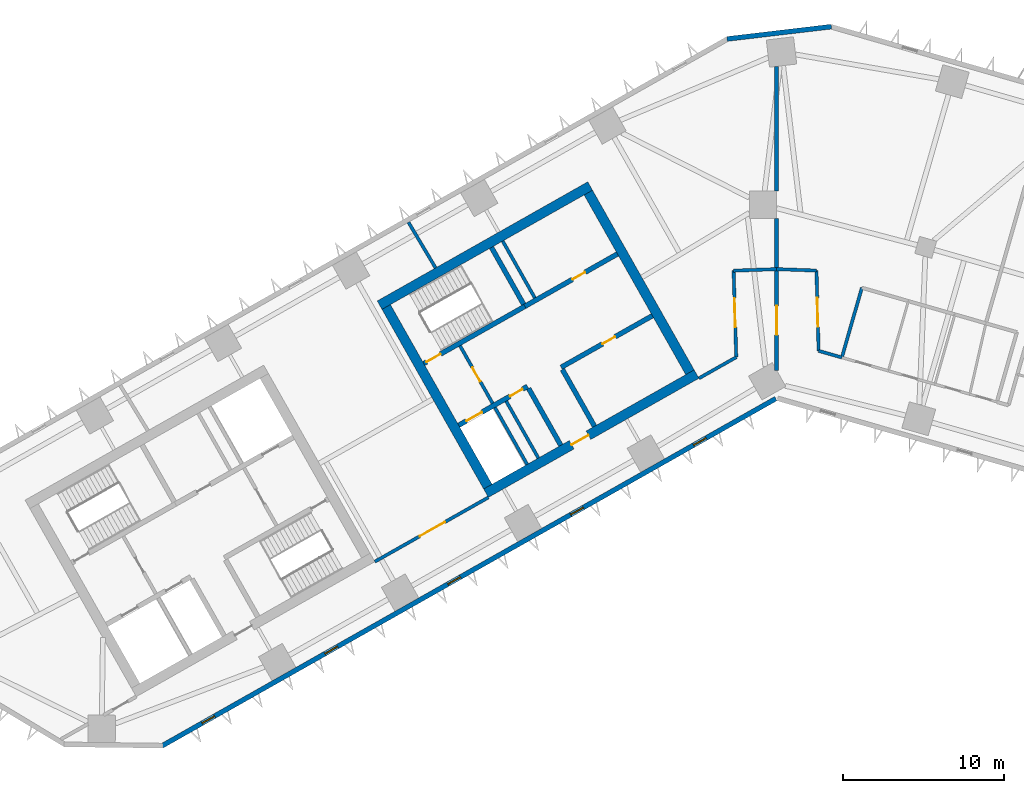
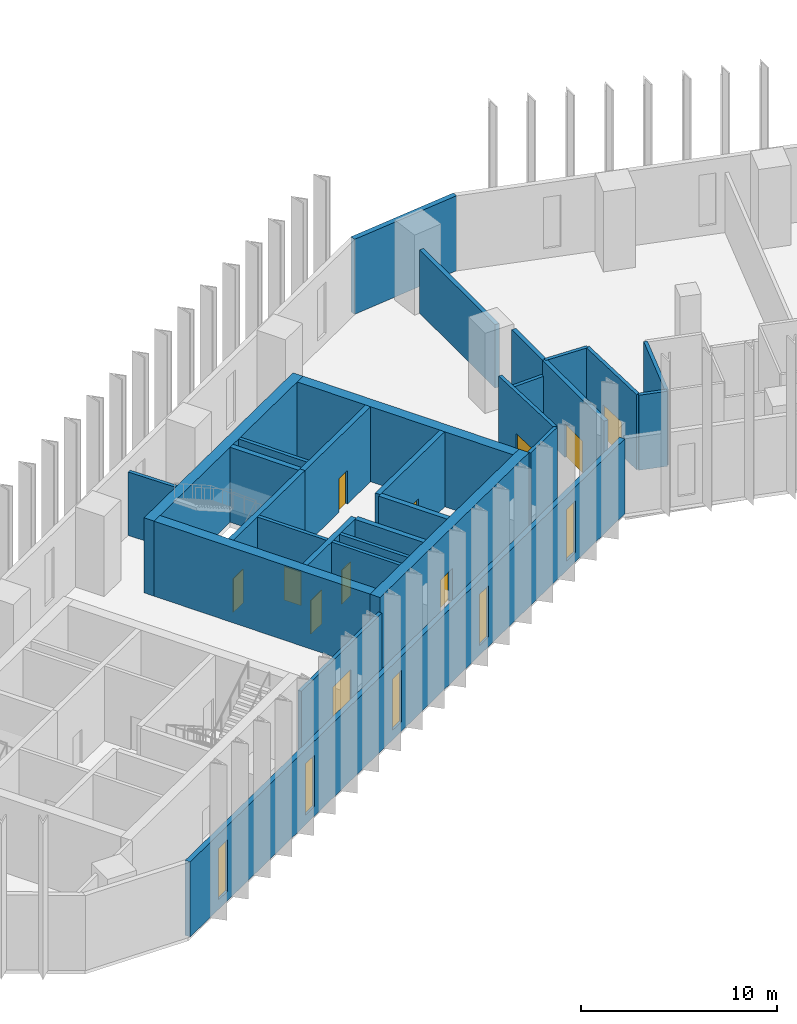
# One storey, part 4 of 11: 29 walls, 11 doors, 5 windows, 16 openings.
"""IFC4 building model written with IfcOpenShell, lengths in metres."""

import ifcopenshell
import ifcopenshell.guid

model = None  # the IFC model being written
_history = None  # IfcOwnerHistory: only IFC2X3 demands one
_inside = {}  # id of a spatial element -> (the spatial element, [elements in it])
_under = {}  # id of a project, library or spatial element -> (it, [spatial elements below it])
_declared = {}  # id of a project -> (the project, [libraries it declares])
_typed = {}  # id of a type object -> (the type object, [elements of that type])
_made_of = {}  # id of a material, layer set ... -> (it, [elements and type objects made of it])


def new_model(schema):
    """Start an empty IFC model of exactly this schema.

    Asked for "IFC4X3", IfcOpenShell would pick the latest addendum, in which some entities
    have other attributes; the version numbers below select the first issue.
    IFC2X3 requires an IfcOwnerHistory on every rooted entity: one is made here for all.
    """
    global model, _history
    if schema == "IFC4X3":
        model = ifcopenshell.file(schema_version=(4, 3, 0, 0))
    else:
        model = ifcopenshell.file(schema=schema)
    _inside.clear()
    _under.clear()
    _declared.clear()
    _typed.clear()
    _made_of.clear()
    _history = None
    if model.schema == "IFC2X3":
        org = make("IfcOrganization", Name="unknown")
        user = make(
            "IfcPersonAndOrganization",
            ThePerson=make("IfcPerson", FamilyName="unknown"),
            TheOrganization=org,
        )
        app = make(
            "IfcApplication",
            ApplicationDeveloper=org,
            Version="unknown",
            ApplicationFullName="unknown",
            ApplicationIdentifier="unknown",
        )
        _history = make(
            "IfcOwnerHistory",
            OwningUser=user,
            OwningApplication=app,
            ChangeAction="ADDED",
            CreationDate=0,
        )
    return model


def make(cls, **values):
    """One entity of the class cls with the attributes given. An attribute that is None is left unset."""
    return model.create_entity(
        cls, **{name: value for name, value in values.items() if value is not None}
    )


def rooted(cls, **values):
    """An entity with a GlobalId (a new one), such as an element, a storey or a relation."""
    return make(cls, GlobalId=ifcopenshell.guid.new(), OwnerHistory=_history, **values)


def si_unit(unit_type, name, prefix=None):
    """IfcSIUnit, for example si_unit("LENGTHUNIT", "METRE", prefix="MILLI")."""
    return make("IfcSIUnit", UnitType=unit_type, Prefix=prefix, Name=name)


def assignment(units):
    """IfcUnitAssignment: the units of a project."""
    return None if units is None else make("IfcUnitAssignment", Units=units)


def point(xyz):
    """IfcCartesianPoint."""
    return None if xyz is None else make("IfcCartesianPoint", Coordinates=xyz)


def direction(xyz):
    """IfcDirection."""
    return None if xyz is None else make("IfcDirection", DirectionRatios=xyz)


def frame(location, z_axis=None, x_axis=None):
    """IfcAxis2Placement3D, a coordinate frame: its origin and axes. An axis left out is left unset."""
    return make(
        "IfcAxis2Placement3D",
        Location=point(location),
        Axis=direction(z_axis),
        RefDirection=direction(x_axis),
    )


def frame_2d(location, x_axis=None):
    """IfcAxis2Placement2D, a coordinate frame in the plane: its origin and x axis."""
    return make(
        "IfcAxis2Placement2D", Location=point(location), RefDirection=direction(x_axis)
    )


def origin():
    """The frame at (0, 0, 0) with its axes left unset."""
    return frame((0.0, 0.0, 0.0))


def place(relative_to, where):
    """IfcLocalPlacement: puts the frame where relative to a parent placement (None: the world)."""
    return make(
        "IfcLocalPlacement", PlacementRelTo=relative_to, RelativePlacement=where
    )


def context(
    kind, dimensions, precision=None, world=None, true_north=None, identifier=None
):
    """IfcGeometricRepresentationContext, for example the 3D "Model" context."""
    return make(
        "IfcGeometricRepresentationContext",
        ContextIdentifier=identifier,
        ContextType=kind,
        CoordinateSpaceDimension=dimensions,
        Precision=precision,
        WorldCoordinateSystem=world,
        TrueNorth=true_north,
    )


def subcontext(parent, identifier, kind, view, scale=None):
    """IfcGeometricRepresentationSubContext, for example "Body" below "Model"."""
    return make(
        "IfcGeometricRepresentationSubContext",
        ContextIdentifier=identifier,
        ContextType=kind,
        ParentContext=parent,
        TargetScale=scale,
        TargetView=view,
    )


def project(units=None, contexts=None):
    """IfcProject with its units and contexts."""
    return rooted(
        "IfcProject",
        Name="project",
        RepresentationContexts=contexts,
        UnitsInContext=assignment(units),
    )


def spatial(cls, under=None, at=None, **own):
    """A site, building, storey or space (cls), placed at a placement, below another one or the project."""
    s = rooted(cls, ObjectPlacement=at, **own)
    if under is not None:
        _under.setdefault(under.id(), (under, []))[1].append(s)
    return s


def profile(cls, at=None, kind="AREA", **sizes):
    """A parametric profile (cls). Its sizes go by their IFC names, for example OverallWidth=200.0."""
    return make(cls, ProfileType=kind, Position=at, **sizes)


def rectangle(**sizes):
    """IfcRectangleProfileDef."""
    return profile("IfcRectangleProfileDef", **sizes)


def extrude(swept, where, along, depth):
    """IfcExtrudedAreaSolid: the profile swept, set in the frame where, extruded along a direction by depth."""
    return make(
        "IfcExtrudedAreaSolid",
        SweptArea=swept,
        Position=where,
        ExtrudedDirection=direction(along),
        Depth=depth,
    )


def shape(context_of_items, identifier, shape_type, items):
    """IfcShapeRepresentation: the items that make up one representation, for example the "Body"."""
    return make(
        "IfcShapeRepresentation",
        ContextOfItems=context_of_items,
        RepresentationIdentifier=identifier,
        RepresentationType=shape_type,
        Items=items,
    )


def material(Name=None, Category=None):
    """IfcMaterial."""
    return make("IfcMaterial", Name=Name, Category=Category)


def layer(
    of_material, thickness, ventilated=None, Name=None, Category=None, Priority=None
):
    """IfcMaterialLayer: one layer of a wall or slab, of a material (None: an air gap)."""
    return make(
        "IfcMaterialLayer",
        Material=of_material,
        LayerThickness=thickness,
        IsVentilated=ventilated,
        Name=Name,
        Category=Category,
        Priority=Priority,
    )


def layer_set(layers, Name=None):
    """IfcMaterialLayerSet."""
    return make("IfcMaterialLayerSet", MaterialLayers=layers, LayerSetName=Name)


def made_of(thing, what):
    """Note that an element or type object is made of a material, layer set ...; save() writes the relation."""
    if what is not None:
        _made_of.setdefault(what.id(), (what, []))[1].append(thing)
    return thing


def type_object(cls, material=None, **own):
    """A type object (cls), such as IfcWallType, which elements share."""
    return made_of(rooted(cls, **own), material)


def element(
    cls,
    number,
    at=None,
    inside=None,
    cuts=None,
    type_object=None,
    material=None,
    context=None,
    identifier="Body",
    shape_type=None,
    held_by="IfcProductDefinitionShape",
    body=None,
    shapes=None,
    **own,
):
    """One element of the class cls, such as IfcWall. Its Tag is "e" and its number.

    at: its placement. inside: the storey or other place that contains it. cuts: it is an
    opening in that element (IfcRelVoidsElement). A single representation is given by context,
    identifier, shape_type and body (its items); several are given by shapes. held_by: the class
    of the entity that holds the representations. save() writes the other relations.
    """
    e = rooted(cls, Tag="e%d" % number, ObjectPlacement=at, **own)
    if body is not None:
        shapes = [shape(context, identifier, shape_type, body)]
    if shapes is not None:
        e.Representation = make(held_by, Representations=shapes)
    if inside is not None:
        _inside.setdefault(inside.id(), (inside, []))[1].append(e)
    if cuts is not None:
        rooted(
            "IfcRelVoidsElement", RelatingBuildingElement=cuts, RelatedOpeningElement=e
        )
    if type_object is not None:
        _typed.setdefault(type_object.id(), (type_object, []))[1].append(e)
    return made_of(e, material)


def fill(opening, filler):
    """IfcRelFillsElement: the door or window that sits in an opening."""
    return rooted(
        "IfcRelFillsElement",
        RelatingOpeningElement=opening,
        RelatedBuildingElement=filler,
    )


def aggregate(whole, parts):
    """IfcRelAggregates: a whole, such as a stair, and the parts it consists of."""
    return rooted("IfcRelAggregates", RelatingObject=whole, RelatedObjects=parts)


def save(model, path):
    """Write the relations noted so far, then the file.

    IfcRelAggregates (storeys below a building ...), IfcRelContainedInSpatialStructure (elements
    in a storey), IfcRelDefinesByType, IfcRelAssociatesMaterial and IfcRelDeclares: one each for
    every whole, place, type object, material and project.
    """
    for whole, parts in _under.values():
        aggregate(whole, parts)
    for where, things in _inside.values():
        rooted(
            "IfcRelContainedInSpatialStructure",
            RelatedElements=things,
            RelatingStructure=where,
        )
    for kind, things in _typed.values():
        rooted("IfcRelDefinesByType", RelatedObjects=things, RelatingType=kind)
    for what, things in _made_of.values():
        rooted("IfcRelAssociatesMaterial", RelatedObjects=things, RelatingMaterial=what)
    for by, libraries in _declared.values():
        rooted("IfcRelDeclares", RelatingContext=by, RelatedDefinitions=libraries)
    model.write(path)


model = new_model("IFC4")

# Units and contexts
model_context = context("Model", 3, precision=1e-05, world=origin(), true_north=direction((0.0, 1.0)))
body_context = subcontext(model_context, "Body", "Model", "MODEL_VIEW")
ifc_project = project(units=[si_unit("LENGTHUNIT", "METRE"), si_unit("AREAUNIT", "SQUARE_METRE"), si_unit("VOLUMEUNIT", "CUBIC_METRE"), si_unit("PLANEANGLEUNIT", "RADIAN"), si_unit("MASSUNIT", "GRAM", prefix="KILO")], contexts=[model_context])

# Site, building, storey
site_placement = place(None, origin())
site = spatial("IfcSite", under=ifc_project, at=site_placement, CompositionType="ELEMENT")
building_placement = place(site_placement, origin())
building = spatial("IfcBuilding", under=site, at=building_placement, Name="Binnacle Exchange Tower", CompositionType="ELEMENT")
storey_placement = place(building_placement, frame((0.0, 0.0, 36.5)))
storey = spatial("IfcBuildingStorey", under=building, at=storey_placement, Name="L07", CompositionType="ELEMENT", Elevation=36.5)

# Wall, openings, doors
ifc_material_1 = material(Name="Concrete C70/85", Category="concrete")
ifc_layer_1 = layer(ifc_material_1, 0.300048828125)
ifc_layer_set_1 = layer_set([ifc_layer_1], Name="Core wall - front 300")
wall_type_1 = type_object("IfcWallType", Name="Core wall - front 300", PredefinedType="SOLIDWALL", material=ifc_layer_set_1)
wall_1_placement = place(storey_placement, frame((-19.718017578125, 46.31640625, 0.0), z_axis=(0.0, 0.0, 1.0), x_axis=(0.870353963862, 0.492426621528, 0.0)))
wall_1 = element("IfcWall", 1, at=wall_1_placement, inside=storey, type_object=wall_type_1, Name="Core wall CRWC2", PredefinedType="SOLIDWALL", context=body_context, shape_type="SweptSolid", body=[
    extrude(rectangle(XDim=4.89990234375, YDim=0.300048828125, at=frame_2d((2.449951171875, 0.0))), origin(), (0.0, 0.0, 1.0), 4.679931640625),
])
opening_1_placement = place(wall_1_placement, frame((0.550048828125, 0.0, 0.0)))
opening_1 = element("IfcOpeningElement", 2, at=opening_1_placement, cuts=wall_1, Name="Opening LD14", PredefinedType="OPENING", context=body_context, shape_type="SweptSolid", body=[
    extrude(rectangle(XDim=1.10009765625, YDim=2.10009765625, at=frame_2d((0.550048828125, 1.050048828125))), frame((0.0, 0.159912109375, 0.0), z_axis=(0.0, -1.0, 0.0), x_axis=(1.0, 0.0, 0.0)), (0.0, 0.0, 1.0), 0.320068359375),
])
opening_2_placement = place(wall_1_placement, frame((3.64990234375, 0.0, 0.0)))
opening_2 = element("IfcOpeningElement", 3, at=opening_2_placement, cuts=wall_1, Name="Opening DC14", PredefinedType="OPENING", context=body_context, shape_type="SweptSolid", body=[
    extrude(rectangle(XDim=0.89990234375, YDim=2.10009765625, at=frame_2d((0.449951171875, 1.050048828125))), frame((0.0, 0.159912109375, 0.0), z_axis=(0.0, -1.0, 0.0), x_axis=(1.0, 0.0, 0.0)), (0.0, 0.0, 1.0), 0.320068359375),
])
ifc_material_2 = material(Name="Steel door leaf", Category="steel")
door_type_1 = type_object("IfcDoorType", Name="Fire door - lift landing 1100", OperationType="NOTDEFINED", PredefinedType="DOOR", material=ifc_material_2)
door_1_placement = place(opening_1_placement, origin())
door_1 = element("IfcDoor", 4, at=door_1_placement, inside=storey, type_object=door_type_1, Name="Landing door LD14 L07", OperationType="DOUBLE_DOOR_SLIDING", OverallHeight=2.10009765625, OverallWidth=1.10009765625, PredefinedType="DOOR", context=body_context, shape_type="SweptSolid", body=[
    extrude(rectangle(XDim=1.10009765625, YDim=2.10009765625, at=frame_2d((0.550048828125, 1.050048828125))), frame((0.0, 0.02490234375, 0.0), z_axis=(0.0, -1.0, 0.0), x_axis=(1.0, 0.0, 0.0)), (0.0, 0.0, 1.0), 0.050048828125),
])
fill(opening_1, door_1)
door_type_2 = type_object("IfcDoorType", Name="Fire door 900", OperationType="NOTDEFINED", PredefinedType="DOOR", material=ifc_material_2)
door_2_placement = place(opening_2_placement, frame((0.89990234375, 0.0, 0.0), z_axis=(0.0, 0.0, 1.0), x_axis=(-1.0, 0.0, 0.0)))
door_2 = element("IfcDoor", 5, at=door_2_placement, inside=storey, type_object=door_type_2, Name="Core room door FIBRE ENTRY ROOM", OperationType="SINGLE_SWING_LEFT", OverallHeight=2.10009765625, OverallWidth=0.89990234375, PredefinedType="DOOR", context=body_context, shape_type="SweptSolid", body=[
    extrude(rectangle(XDim=0.89990234375, YDim=2.10009765625, at=frame_2d((0.449951171875, 1.050048828125))), frame((0.0, 0.02490234375, 0.0), z_axis=(0.0, -1.0, 0.0), x_axis=(1.0, 0.0, 0.0)), (0.0, 0.0, 1.0), 0.050048828125),
])
fill(opening_2, door_2)

# Wall, opening, door
wall_2_placement = place(storey_placement, frame((-13.364501953125, 49.910888671875, 0.0), z_axis=(0.0, 0.0, 1.0), x_axis=(0.870340995471, 0.49244954219, 0.0)))
wall_2 = element("IfcWall", 6, at=wall_2_placement, inside=storey, type_object=wall_type_1, Name="Core wall CRWC3", PredefinedType="SOLIDWALL", context=body_context, shape_type="SweptSolid", body=[
    extrude(rectangle(XDim=6.5, YDim=0.300048828125, at=frame_2d((3.25, 0.0))), origin(), (0.0, 0.0, 1.0), 4.679931640625),
])
opening_3_placement = place(wall_2_placement, frame((2.949951171875, 0.0, 0.0)))
opening_3 = element("IfcOpeningElement", 7, at=opening_3_placement, cuts=wall_2, Name="Opening DC18", PredefinedType="OPENING", context=body_context, shape_type="SweptSolid", body=[
    extrude(rectangle(XDim=0.89990234375, YDim=2.10009765625, at=frame_2d((0.449951171875, 1.050048828125))), frame((0.0, 0.159912109375, 0.0), z_axis=(0.0, -1.0, 0.0), x_axis=(1.0, 0.0, 0.0)), (0.0, 0.0, 1.0), 0.320068359375),
])
door_3_placement = place(opening_3_placement, frame((0.89990234375, 0.0, 0.0), z_axis=(0.0, 0.0, 1.0), x_axis=(-1.0, 0.0, 0.0)))
door_3 = element("IfcDoor", 8, at=door_3_placement, inside=storey, type_object=door_type_2, Name="Core room door WORKSHOP STORE", OperationType="SINGLE_SWING_LEFT", OverallHeight=2.10009765625, OverallWidth=0.89990234375, PredefinedType="DOOR", context=body_context, shape_type="SweptSolid", body=[
    extrude(rectangle(XDim=0.89990234375, YDim=2.10009765625, at=frame_2d((0.449951171875, 1.050048828125))), frame((0.0, 0.02490234375, 0.0), z_axis=(0.0, -1.0, 0.0), x_axis=(1.0, 0.0, 0.0)), (0.0, 0.0, 1.0), 0.050048828125),
])
fill(opening_3, door_3)

wall_3_placement = place(storey_placement, frame((-15.6181640625, 53.69140625, 0.0), z_axis=(0.0, 0.0, 1.0), x_axis=(0.870356769198, 0.492421663121, 0.0)))
wall_3 = element("IfcWall", 9, at=wall_3_placement, inside=storey, type_object=wall_type_1, Name="Core wall CRWC5", PredefinedType="SOLIDWALL", context=body_context, shape_type="SweptSolid", body=[
    extrude(rectangle(XDim=6.60009765625, YDim=0.300048828125, at=frame_2d((3.300048828125, 0.0))), origin(), (0.0, 0.0, 1.0), 4.679931640625),
])
opening_4_placement = place(wall_3_placement, frame((3.400146484375, 0.0, 0.0)))
opening_4 = element("IfcOpeningElement", 10, at=opening_4_placement, cuts=wall_3, Name="Opening DC10", PredefinedType="OPENING", context=body_context, shape_type="SweptSolid", body=[
    extrude(rectangle(XDim=0.89990234375, YDim=2.10009765625, at=frame_2d((0.449951171875, 1.050048828125))), frame((0.0, 0.159912109375, 0.0), z_axis=(0.0, -1.0, 0.0), x_axis=(1.0, 0.0, 0.0)), (0.0, 0.0, 1.0), 0.320068359375),
])
door_4_placement = place(opening_4_placement, origin())
door_4 = element("IfcDoor", 11, at=door_4_placement, inside=storey, type_object=door_type_2, Name="Core room door STAFF PANTRY AND STORE", OperationType="SINGLE_SWING_RIGHT", OverallHeight=2.10009765625, OverallWidth=0.89990234375, PredefinedType="DOOR", context=body_context, shape_type="SweptSolid", body=[
    extrude(rectangle(XDim=0.89990234375, YDim=2.10009765625, at=frame_2d((0.449951171875, 1.050048828125))), frame((0.0, 0.02490234375, 0.0), z_axis=(0.0, -1.0, 0.0), x_axis=(1.0, 0.0, 0.0)), (0.0, 0.0, 1.0), 0.050048828125),
])
fill(opening_4, door_4)

# Walls
for number, where, z_axis, x_axis, name in (
    (12, (-15.37939453125, 48.5986328125, 0.0), (0.0, 0.0, 1.0), (0.492394910396, -0.870371904542, 0.0), "Core wall CRWC13"),
    (13, (-13.29052734375, 49.780517578125, 0.0), (0.0, 0.0, 1.0), (0.492394910396, -0.870371904542, 0.0), "Core wall CRWC15"),
):
    element("IfcWall", number, at=place(storey_placement, frame(where, z_axis=z_axis, x_axis=x_axis)), inside=storey, type_object=wall_type_1, Name=name, PredefinedType="SOLIDWALL", context=body_context, shape_type="SweptSolid", body=[
        extrude(rectangle(XDim=4.0498046875, YDim=0.300048828125, at=frame_2d((2.02490234375, 0.0))), origin(), (0.0, 0.0, 1.0), 4.679931640625),
    ])

# Wall, opening, door
ifc_layer_2 = layer(ifc_material_1, 0.60009765625)
ifc_layer_set_2 = layer_set([ifc_layer_2], Name="Core wall - outer 600")
wall_type_2 = type_object("IfcWallType", Name="Core wall - outer 600", PredefinedType="SOLIDWALL", material=ifc_layer_set_2)
wall_4_placement = place(storey_placement, frame((-18.0244140625, 42.104248046875, 0.0), z_axis=(0.0, 0.0, 1.0), x_axis=(0.870360574057, 0.492414937962, 0.0)))
wall_4 = element("IfcWall", 14, at=wall_4_placement, inside=storey, type_object=wall_type_2, Name="Core wall CRWC1", PredefinedType="SOLIDWALL", context=body_context, shape_type="SweptSolid", body=[
    extrude(rectangle(XDim=15.0, YDim=0.60009765625, at=frame_2d((7.5, 0.0))), origin(), (0.0, 0.0, 1.0), 4.679931640625),
])
opening_5_placement = place(wall_4_placement, frame((6.10009765625, 0.0, 0.0)))
opening_5 = element("IfcOpeningElement", 15, at=opening_5_placement, cuts=wall_4, Name="Opening DC7", PredefinedType="OPENING", context=body_context, shape_type="SweptSolid", body=[
    extrude(rectangle(XDim=1.199951171875, YDim=2.10009765625, at=frame_2d((0.60009765625, 1.050048828125))), frame((0.0, 0.31005859375, 0.0), z_axis=(0.0, -1.0, 0.0), x_axis=(1.0, 0.0, 0.0)), (0.0, 0.0, 1.0), 0.6201171875),
])
door_type_3 = type_object("IfcDoorType", Name="Fire door 1200", OperationType="NOTDEFINED", PredefinedType="DOOR", material=ifc_material_2)
door_5_placement = place(opening_5_placement, frame((1.199951171875, 0.0, 0.0), z_axis=(0.0, 0.0, 1.0), x_axis=(-1.0, 0.0, 0.0)))
door_5 = element("IfcDoor", 16, at=door_5_placement, inside=storey, type_object=door_type_3, Name="Lift lobby entrance door core C", OperationType="SINGLE_SWING_RIGHT", OverallHeight=2.10009765625, OverallWidth=1.199951171875, PredefinedType="DOOR", context=body_context, shape_type="SweptSolid", body=[
    extrude(rectangle(XDim=1.199951171875, YDim=2.10009765625, at=frame_2d((0.60009765625, 1.050048828125))), frame((0.0, 0.02490234375, 0.0), z_axis=(0.0, -1.0, 0.0), x_axis=(1.0, 0.0, 0.0)), (0.0, 0.0, 1.0), 0.050048828125),
])
fill(opening_5, door_5)

# Walls
wall_5_placement = place(storey_placement, frame((-24.622802734375, 53.76708984375, 0.0), z_axis=(0.0, 0.0, 1.0), x_axis=(0.870356627484, 0.492421913601, 0.0)))
element("IfcWall", 17, at=wall_5_placement, inside=storey, type_object=wall_type_2, Name="Core wall CRWC6", PredefinedType="SOLIDWALL", context=body_context, shape_type="SweptSolid", body=[
    extrude(rectangle(XDim=14.999755859375, YDim=0.60009765625, at=frame_2d((7.5, 0.0))), origin(), (0.0, 0.0, 1.0), 4.679931640625),
])
wall_6_placement = place(storey_placement, frame((-24.214111328125, 53.653564453125, 0.0), z_axis=(0.0, 0.0, 1.0), x_axis=(0.492441221355, -0.870345703448, 0.0)))
element("IfcWall", 18, at=wall_6_placement, inside=storey, type_object=wall_type_2, Name="Core wall CRWC7", PredefinedType="SOLIDWALL", context=body_context, shape_type="SweptSolid", body=[
    extrude(rectangle(XDim=12.800048828125, YDim=0.60009765625, at=frame_2d((6.39990234375, 0.0))), origin(), (0.0, 0.0, 1.0), 4.679931640625),
])
wall_7_placement = place(storey_placement, frame((-11.680908203125, 60.744384765625, 0.0), z_axis=(0.0, 0.0, 1.0), x_axis=(0.492426772896, -0.870353878221, 0.0)))
element("IfcWall", 19, at=wall_7_placement, inside=storey, type_object=wall_type_2, Name="Core wall CRWC24", PredefinedType="SOLIDWALL", context=body_context, shape_type="SweptSolid", body=[
    extrude(rectangle(XDim=12.7998046875, YDim=0.60009765625, at=frame_2d((6.39990234375, 0.0))), origin(), (0.0, 0.0, 1.0), 4.679931640625),
])

# Wall, opening, door
ifc_layer_3 = layer(ifc_material_1, 0.300048828125)
ifc_layer_set_3 = layer_set([ifc_layer_3], Name="Core wall - stair 300")
wall_type_3 = type_object("IfcWallType", Name="Core wall - stair 300", PredefinedType="SOLIDWALL", material=ifc_layer_set_3)
wall_8_placement = place(storey_placement, frame((-21.884765625, 50.14599609375, 0.0), z_axis=(0.0, 0.0, 1.0), x_axis=(0.870359411463, 0.492416992881, 0.0)))
wall_8 = element("IfcWall", 20, at=wall_8_placement, inside=storey, type_object=wall_type_3, Name="Core wall CRWC4", PredefinedType="SOLIDWALL", context=body_context, shape_type="SweptSolid", body=[
    extrude(rectangle(XDim=7.199951171875, YDim=0.300048828125, at=frame_2d((3.60009765625, 0.0))), origin(), (0.0, 0.0, 1.0), 4.679931640625),
])
opening_6_placement = place(wall_8_placement, frame((0.199951171875, 0.0, 0.0)))
opening_6 = element("IfcOpeningElement", 21, at=opening_6_placement, cuts=wall_8, Name="Opening DC1", PredefinedType="OPENING", context=body_context, shape_type="SweptSolid", body=[
    extrude(rectangle(XDim=1.0, YDim=2.10009765625, at=frame_2d((0.5, 1.050048828125))), frame((0.0, 0.159912109375, 0.0), z_axis=(0.0, -1.0, 0.0), x_axis=(1.0, 0.0, 0.0)), (0.0, 0.0, 1.0), 0.320068359375),
])
door_type_4 = type_object("IfcDoorType", Name="Fire door 1000", OperationType="NOTDEFINED", PredefinedType="DOOR", material=ifc_material_2)
door_6_placement = place(opening_6_placement, origin())
door_6 = element("IfcDoor", 22, at=door_6_placement, inside=storey, type_object=door_type_4, Name="Stair door ST-C1", OperationType="SINGLE_SWING_LEFT", OverallHeight=2.10009765625, OverallWidth=1.0, PredefinedType="DOOR", context=body_context, shape_type="SweptSolid", body=[
    extrude(rectangle(XDim=1.0, YDim=2.10009765625, at=frame_2d((0.5, 1.050048828125))), frame((0.0, 0.02490234375, 0.0), z_axis=(0.0, -1.0, 0.0), x_axis=(1.0, 0.0, 0.0)), (0.0, 0.0, 1.0), 0.050048828125),
])
fill(opening_6, door_6)

# Walls
wall_9_placement = place(storey_placement, frame((-17.686279296875, 57.3466796875, 0.0), z_axis=(0.0, 0.0, 1.0), x_axis=(0.492420746998, -0.870357287513, 0.0)))
element("IfcWall", 23, at=wall_9_placement, inside=storey, type_object=wall_type_3, Name="Core wall CRWC14", PredefinedType="SOLIDWALL", context=body_context, shape_type="SweptSolid", body=[
    extrude(rectangle(XDim=4.049560546875, YDim=0.300048828125, at=frame_2d((2.02490234375, 0.0))), origin(), (0.0, 0.0, 1.0), 4.679931640625),
])
ifc_material_3 = material(Name="Bronze aluminium cladding", Category="aluminium")
ifc_layer_4 = layer(ifc_material_3, 0.300048828125)
ifc_layer_set_4 = layer_set([ifc_layer_4], Name="External wall - spandrel 300")
wall_type_4 = type_object("IfcWallType", Name="External wall - spandrel 300", PredefinedType="STANDARD", material=ifc_layer_set_4)
wall_10_placement = place(storey_placement, frame((-3.076171875, 70.27294921875, 0.0), z_axis=(0.0, 0.0, 1.0), x_axis=(0.993067743007, 0.117543429416, 0.0)))
element("IfcWall", 24, at=wall_10_placement, inside=storey, type_object=wall_type_4, Name="External wall EW-F02 L07", PredefinedType="STANDARD", context=body_context, shape_type="SweptSolid", body=[
    extrude(rectangle(XDim=6.515625, YDim=0.300048828125, at=frame_2d((3.2578125, 0.0))), origin(), (0.0, 0.0, 1.0), 4.679931640625),
])

# Wall, openings, windows
wall_11_placement = place(storey_placement, frame((-0.0546875, 47.968994140625, 0.0), z_axis=(0.0, 0.0, 1.0), x_axis=(-0.870355730478, -0.492423499058, 0.0)))
wall_11 = element("IfcWall", 25, at=wall_11_placement, inside=storey, type_object=wall_type_4, Name="External wall EW-F07 L07", PredefinedType="STANDARD", context=body_context, shape_type="SweptSolid", body=[
    extrude(rectangle(XDim=43.750244140625, YDim=0.300048828125, at=frame_2d((21.875, 0.0))), origin(), (0.0, 0.0, 1.0), 4.679931640625),
])
opening_7_placement = place(wall_11_placement, frame((39.976806640625, 0.0, 0.60009765625)))
opening_7 = element("IfcOpeningElement", 26, at=opening_7_placement, cuts=wall_11, Name="Opening WS1", PredefinedType="OPENING", context=body_context, shape_type="SweptSolid", body=[
    extrude(rectangle(XDim=0.89990234375, YDim=3.199951171875, at=frame_2d((0.449951171875, 1.60009765625))), frame((0.0, 0.159912109375, 0.0), z_axis=(0.0, -1.0, 0.0), x_axis=(1.0, 0.0, 0.0)), (0.0, 0.0, 1.0), 0.320068359375),
])
opening_8_placement = place(wall_11_placement, frame((31.222412109375, 0.0, 0.60009765625)))
opening_8 = element("IfcOpeningElement", 27, at=opening_8_placement, cuts=wall_11, Name="Opening WS1", PredefinedType="OPENING", context=body_context, shape_type="SweptSolid", body=[
    extrude(rectangle(XDim=0.89990234375, YDim=3.199951171875, at=frame_2d((0.449951171875, 1.60009765625))), frame((0.0, 0.159912109375, 0.0), z_axis=(0.0, -1.0, 0.0), x_axis=(1.0, 0.0, 0.0)), (0.0, 0.0, 1.0), 0.320068359375),
])
opening_9_placement = place(wall_11_placement, frame((22.4677734375, 0.0, 0.60009765625)))
opening_9 = element("IfcOpeningElement", 28, at=opening_9_placement, cuts=wall_11, Name="Opening WS1", PredefinedType="OPENING", context=body_context, shape_type="SweptSolid", body=[
    extrude(rectangle(XDim=0.89990234375, YDim=3.199951171875, at=frame_2d((0.449951171875, 1.60009765625))), frame((0.0, 0.159912109375, 0.0), z_axis=(0.0, -1.0, 0.0), x_axis=(1.0, 0.0, 0.0)), (0.0, 0.0, 1.0), 0.320068359375),
])
opening_10_placement = place(wall_11_placement, frame((13.713134765625, 0.0, 0.60009765625)))
opening_10 = element("IfcOpeningElement", 29, at=opening_10_placement, cuts=wall_11, Name="Opening WS1", PredefinedType="OPENING", context=body_context, shape_type="SweptSolid", body=[
    extrude(rectangle(XDim=0.89990234375, YDim=3.199951171875, at=frame_2d((0.449951171875, 1.60009765625))), frame((0.0, 0.159912109375, 0.0), z_axis=(0.0, -1.0, 0.0), x_axis=(1.0, 0.0, 0.0)), (0.0, 0.0, 1.0), 0.320068359375),
])
opening_11_placement = place(wall_11_placement, frame((4.958740234375, 0.0, 0.60009765625)))
opening_11 = element("IfcOpeningElement", 30, at=opening_11_placement, cuts=wall_11, Name="Opening WS1", PredefinedType="OPENING", context=body_context, shape_type="SweptSolid", body=[
    extrude(rectangle(XDim=0.89990234375, YDim=3.199951171875, at=frame_2d((0.449951171875, 1.60009765625))), frame((0.0, 0.159912109375, 0.0), z_axis=(0.0, -1.0, 0.0), x_axis=(1.0, 0.0, 0.0)), (0.0, 0.0, 1.0), 0.320068359375),
])
ifc_material_4 = material(Name="Bronze anodised aluminium frame", Category="aluminium")
window_type = type_object("IfcWindowType", Name="WS1 WINDOW 900x3200", PartitioningType="SINGLE_PANEL", PredefinedType="WINDOW", material=ifc_material_4)
window_1_placement = place(opening_7_placement, origin())
window_1 = element("IfcWindow", 31, at=window_1_placement, inside=storey, type_object=window_type, Name="Window WS1 L07", OverallHeight=3.199951171875, OverallWidth=0.89990234375, PartitioningType="SINGLE_PANEL", PredefinedType="WINDOW", context=body_context, shape_type="SweptSolid", body=[
    extrude(rectangle(XDim=0.89990234375, YDim=3.199951171875, at=frame_2d((0.449951171875, 1.60009765625))), frame((0.0, 0.030029296875, 0.0), z_axis=(0.0, -1.0, 0.0), x_axis=(1.0, 0.0, 0.0)), (0.0, 0.0, 1.0), 0.06005859375),
])
fill(opening_7, window_1)
window_2_placement = place(opening_8_placement, origin())
window_2 = element("IfcWindow", 32, at=window_2_placement, inside=storey, type_object=window_type, Name="Window WS1 L07", OverallHeight=3.199951171875, OverallWidth=0.89990234375, PartitioningType="SINGLE_PANEL", PredefinedType="WINDOW", context=body_context, shape_type="SweptSolid", body=[
    extrude(rectangle(XDim=0.89990234375, YDim=3.199951171875, at=frame_2d((0.449951171875, 1.60009765625))), frame((0.0, 0.030029296875, 0.0), z_axis=(0.0, -1.0, 0.0), x_axis=(1.0, 0.0, 0.0)), (0.0, 0.0, 1.0), 0.06005859375),
])
fill(opening_8, window_2)
window_3_placement = place(opening_9_placement, origin())
window_3 = element("IfcWindow", 33, at=window_3_placement, inside=storey, type_object=window_type, Name="Window WS1 L07", OverallHeight=3.199951171875, OverallWidth=0.89990234375, PartitioningType="SINGLE_PANEL", PredefinedType="WINDOW", context=body_context, shape_type="SweptSolid", body=[
    extrude(rectangle(XDim=0.89990234375, YDim=3.199951171875, at=frame_2d((0.449951171875, 1.60009765625))), frame((0.0, 0.030029296875, 0.0), z_axis=(0.0, -1.0, 0.0), x_axis=(1.0, 0.0, 0.0)), (0.0, 0.0, 1.0), 0.06005859375),
])
fill(opening_9, window_3)
window_4_placement = place(opening_10_placement, origin())
window_4 = element("IfcWindow", 34, at=window_4_placement, inside=storey, type_object=window_type, Name="Window WS1 L07", OverallHeight=3.199951171875, OverallWidth=0.89990234375, PartitioningType="SINGLE_PANEL", PredefinedType="WINDOW", context=body_context, shape_type="SweptSolid", body=[
    extrude(rectangle(XDim=0.89990234375, YDim=3.199951171875, at=frame_2d((0.449951171875, 1.60009765625))), frame((0.0, 0.030029296875, 0.0), z_axis=(0.0, -1.0, 0.0), x_axis=(1.0, 0.0, 0.0)), (0.0, 0.0, 1.0), 0.06005859375),
])
fill(opening_10, window_4)
window_5_placement = place(opening_11_placement, origin())
window_5 = element("IfcWindow", 35, at=window_5_placement, inside=storey, type_object=window_type, Name="Window WS1 L07", OverallHeight=3.199951171875, OverallWidth=0.89990234375, PartitioningType="SINGLE_PANEL", PredefinedType="WINDOW", context=body_context, shape_type="SweptSolid", body=[
    extrude(rectangle(XDim=0.89990234375, YDim=3.199951171875, at=frame_2d((0.449951171875, 1.60009765625))), frame((0.0, 0.030029296875, 0.0), z_axis=(0.0, -1.0, 0.0), x_axis=(1.0, 0.0, 0.0)), (0.0, 0.0, 1.0), 0.06005859375),
])
fill(opening_11, window_5)

# Wall, opening, door
ifc_material_5 = material(Name="Masonry block wall", Category="masonry")
ifc_layer_5 = layer(ifc_material_5, 0.199951171875)
ifc_layer_set_5 = layer_set([ifc_layer_5], Name="Fire wall - block 200")
wall_type_5 = type_object("IfcWallType", Name="Fire wall - block 200", PredefinedType="PARTITIONING", material=ifc_layer_set_5)
wall_12_placement = place(storey_placement, frame((-24.9189453125, 37.85888671875, 0.0), z_axis=(0.0, 0.0, 1.0), x_axis=(0.870357635969, 0.492420131098, 0.0)))
wall_12 = element("IfcWall", 36, at=wall_12_placement, inside=storey, type_object=wall_type_5, Name="Partition W04", PredefinedType="PARTITIONING", context=body_context, shape_type="SweptSolid", body=[
    extrude(rectangle(XDim=8.0908203125, YDim=0.199951171875, at=frame_2d((4.04541015625, 0.0))), origin(), (0.0, 0.0, 1.0), 3.748046875),
])
opening_12_placement = place(wall_12_placement, frame((3.199951171875, 0.0, 0.0)))
opening_12 = element("IfcOpeningElement", 37, at=opening_12_placement, cuts=wall_12, Name="Opening DL05-02", PredefinedType="OPENING", context=body_context, shape_type="SweptSolid", body=[
    extrude(rectangle(XDim=1.800048828125, YDim=2.10009765625, at=frame_2d((0.89990234375, 1.050048828125))), frame((0.0, 0.10986328125, 0.0), z_axis=(0.0, -1.0, 0.0), x_axis=(1.0, 0.0, 0.0)), (0.0, 0.0, 1.0), 0.219970703125),
])
door_type_5 = type_object("IfcDoorType", Name="Fire door 1800", OperationType="NOTDEFINED", PredefinedType="DOOR", material=ifc_material_2)
door_7_placement = place(opening_12_placement, origin())
door_7 = element("IfcDoor", 38, at=door_7_placement, inside=storey, type_object=door_type_5, Name="Door DL05-02", OperationType="DOUBLE_DOOR_SINGLE_SWING", OverallHeight=2.10009765625, OverallWidth=1.800048828125, PredefinedType="DOOR", context=body_context, shape_type="SweptSolid", body=[
    extrude(rectangle(XDim=1.800048828125, YDim=2.10009765625, at=frame_2d((0.89990234375, 1.050048828125))), frame((0.0, 0.02490234375, 0.0), z_axis=(0.0, -1.0, 0.0), x_axis=(1.0, 0.0, 0.0)), (0.0, 0.0, 1.0), 0.050048828125),
])
fill(opening_12, door_7)

# Walls
wall_13_placement = place(storey_placement, frame((-22.8349609375, 58.907958984375, 0.0), z_axis=(0.0, 0.0, 1.0), x_axis=(0.511113859879, -0.859513014584, 0.0)))
element("IfcWall", 39, at=wall_13_placement, inside=storey, type_object=wall_type_5, Name="Partition W05", PredefinedType="PARTITIONING", context=body_context, shape_type="SweptSolid", body=[
    extrude(rectangle(XDim=3.294921875, YDim=0.199951171875, at=frame_2d((1.6474609375, 0.0))), origin(), (0.0, 0.0, 1.0), 3.9599609375),
])
wall_14_placement = place(storey_placement, frame((-4.821044921875, 49.22998046875, 0.0), z_axis=(0.0, 0.0, 1.0), x_axis=(0.870371217631, 0.492396124598, 0.0)))
element("IfcWall", 40, at=wall_14_placement, inside=storey, type_object=wall_type_5, Name="Partition W06", PredefinedType="PARTITIONING", context=body_context, shape_type="SweptSolid", body=[
    extrude(rectangle(XDim=2.65869140625, YDim=0.199951171875, at=frame_2d((1.329345703125, 0.0))), origin(), (0.0, 0.0, 1.0), 4.679931640625),
])

# Wall, opening, door
wall_15_placement = place(storey_placement, frame((-2.669921875, 55.904052734375, 0.0), z_axis=(0.0, 0.0, 1.0), x_axis=(0.030338701418, -0.999539675649, 0.0)))
wall_15 = element("IfcWall", 41, at=wall_15_placement, inside=storey, type_object=wall_type_5, Name="Partition W07", PredefinedType="PARTITIONING", context=body_context, shape_type="SweptSolid", body=[
    extrude(rectangle(XDim=5.367431640625, YDim=0.199951171875, at=frame_2d((2.68359375, 0.0))), origin(), (0.0, 0.0, 1.0), 4.679931640625),
])
opening_13_placement = place(wall_15_placement, frame((1.699951171875, 0.0, 0.0)))
opening_13 = element("IfcOpeningElement", 42, at=opening_13_placement, cuts=wall_15, Name="Opening DL05-03", PredefinedType="OPENING", context=body_context, shape_type="SweptSolid", body=[
    extrude(rectangle(XDim=1.800048828125, YDim=2.10009765625, at=frame_2d((0.89990234375, 1.050048828125))), frame((0.0, 0.10986328125, 0.0), z_axis=(0.0, -1.0, 0.0), x_axis=(1.0, 0.0, 0.0)), (0.0, 0.0, 1.0), 0.219970703125),
])
door_8_placement = place(opening_13_placement, frame((1.800048828125, 0.0, 0.0), z_axis=(0.0, 0.0, 1.0), x_axis=(-1.0, 0.0, 0.0)))
door_8 = element("IfcDoor", 43, at=door_8_placement, inside=storey, type_object=door_type_5, Name="Door DL05-03", OperationType="DOUBLE_DOOR_SINGLE_SWING", OverallHeight=2.10009765625, OverallWidth=1.800048828125, PredefinedType="DOOR", context=body_context, shape_type="SweptSolid", body=[
    extrude(rectangle(XDim=1.800048828125, YDim=2.10009765625, at=frame_2d((0.89990234375, 1.050048828125))), frame((0.0, 0.02490234375, 0.0), z_axis=(0.0, -1.0, 0.0), x_axis=(1.0, 0.0, 0.0)), (0.0, 0.0, 1.0), 0.050048828125),
])
fill(opening_13, door_8)

# Walls
wall_16_placement = place(storey_placement, frame((-2.669921875, 55.904052734375, 0.0), z_axis=(0.0, 0.0, 1.0), x_axis=(0.999354913865, 0.03591317494, 0.0)))
element("IfcWall", 44, at=wall_16_placement, inside=storey, type_object=wall_type_5, Name="Partition W08", PredefinedType="PARTITIONING", context=body_context, shape_type="SweptSolid", body=[
    extrude(rectangle(XDim=2.671630859375, YDim=0.199951171875, at=frame_2d((1.3359375, 0.0))), origin(), (0.0, 0.0, 1.0), 3.741943359375),
])
wall_17_placement = place(storey_placement, frame((0.0, 56.0, 0.0), z_axis=(0.0, 0.0, 1.0), x_axis=(0.999349313684, -0.036068673934, 0.0)))
element("IfcWall", 45, at=wall_17_placement, inside=storey, type_object=wall_type_5, Name="Partition W11", PredefinedType="PARTITIONING", context=body_context, shape_type="SweptSolid", body=[
    extrude(rectangle(XDim=2.470703125, YDim=0.199951171875, at=frame_2d((1.2353515625, 0.0))), origin(), (0.0, 0.0, 1.0), 4.679931640625),
])

# Wall, opening, door
wall_18_placement = place(storey_placement, frame((2.468994140625, 55.910888671875, 0.0), z_axis=(0.0, 0.0, 1.0), x_axis=(0.02651808123, -0.999648333849, 0.0)))
wall_18 = element("IfcWall", 46, at=wall_18_placement, inside=storey, type_object=wall_type_5, Name="Partition W13", PredefinedType="PARTITIONING", context=body_context, shape_type="SweptSolid", body=[
    extrude(rectangle(XDim=4.980712890625, YDim=0.199951171875, at=frame_2d((2.490234375, 0.0))), origin(), (0.0, 0.0, 1.0), 4.679931640625),
])
opening_14_placement = place(wall_18_placement, frame((1.699951171875, 0.0, 0.0)))
opening_14 = element("IfcOpeningElement", 47, at=opening_14_placement, cuts=wall_18, Name="Opening DL05-08", PredefinedType="OPENING", context=body_context, shape_type="SweptSolid", body=[
    extrude(rectangle(XDim=1.800048828125, YDim=2.10009765625, at=frame_2d((0.89990234375, 1.050048828125))), frame((0.0, 0.10986328125, 0.0), z_axis=(0.0, -1.0, 0.0), x_axis=(1.0, 0.0, 0.0)), (0.0, 0.0, 1.0), 0.219970703125),
])
door_9_placement = place(opening_14_placement, origin())
door_9 = element("IfcDoor", 48, at=door_9_placement, inside=storey, type_object=door_type_5, Name="Door DL05-08", OperationType="DOUBLE_DOOR_SINGLE_SWING", OverallHeight=2.10009765625, OverallWidth=1.800048828125, PredefinedType="DOOR", context=body_context, shape_type="SweptSolid", body=[
    extrude(rectangle(XDim=1.800048828125, YDim=2.10009765625, at=frame_2d((0.89990234375, 1.050048828125))), frame((0.0, 0.02490234375, 0.0), z_axis=(0.0, -1.0, 0.0), x_axis=(1.0, 0.0, 0.0)), (0.0, 0.0, 1.0), 0.050048828125),
])
fill(opening_14, door_9)

# Walls
wall_19_placement = place(storey_placement, frame((2.60107421875, 50.931884765625, 0.0), z_axis=(0.0, 0.0, 1.0), x_axis=(0.961197773994, -0.27586018065, 0.0)))
element("IfcWall", 49, at=wall_19_placement, inside=storey, type_object=wall_type_5, Name="Partition W14", PredefinedType="PARTITIONING", context=body_context, shape_type="SweptSolid", body=[
    extrude(rectangle(XDim=1.5, YDim=0.199951171875, at=frame_2d((0.75, 0.0))), origin(), (0.0, 0.0, 1.0), 4.679931640625),
])
wall_20_placement = place(storey_placement, frame((4.04296875, 50.51806640625, 0.0), z_axis=(0.0, 0.0, 1.0), x_axis=(0.275745553681, 0.96123066411, 0.0)))
element("IfcWall", 50, at=wall_20_placement, inside=storey, type_object=wall_type_5, Name="Partition W15", PredefinedType="PARTITIONING", context=body_context, shape_type="SweptSolid", body=[
    extrude(rectangle(XDim=4.50048828125, YDim=0.199951171875, at=frame_2d((2.250244140625, 0.0))), origin(), (0.0, 0.0, 1.0), 4.679931640625),
])

# Wall, opening, door
ifc_material_6 = material(Name="Concrete fire wall C30/37", Category="concrete")
ifc_layer_6 = layer(ifc_material_6, 0.25)
ifc_layer_set_6 = layer_set([ifc_layer_6], Name="Fire wall - compartment 250")
wall_type_6 = type_object("IfcWallType", Name="Fire wall - compartment 250", PredefinedType="PARTITIONING", material=ifc_layer_set_6)
wall_21_placement = place(storey_placement, frame((0.0, 49.72607421875, 0.0), z_axis=(0.0, 0.0, 1.0), x_axis=(0.0, 1.0, 0.0)))
wall_21 = element("IfcWall", 51, at=wall_21_placement, inside=storey, type_object=wall_type_6, Name="Fire Wall W09", PredefinedType="PARTITIONING", context=body_context, shape_type="SweptSolid", body=[
    extrude(rectangle(XDim=6.27392578125, YDim=0.25, at=frame_2d((3.136962890625, 0.0))), origin(), (0.0, 0.0, 1.0), 4.679931640625),
])
opening_15_placement = place(wall_21_placement, frame((2.199951171875, 0.0, 0.0)))
opening_15 = element("IfcOpeningElement", 52, at=opening_15_placement, cuts=wall_21, Name="Opening DL05-12", PredefinedType="OPENING", context=body_context, shape_type="SweptSolid", body=[
    extrude(rectangle(XDim=1.800048828125, YDim=2.10009765625, at=frame_2d((0.89990234375, 1.050048828125))), frame((0.0, 0.135009765625, 0.0), z_axis=(0.0, -1.0, 0.0), x_axis=(1.0, 0.0, 0.0)), (0.0, 0.0, 1.0), 0.27001953125),
])
door_10_placement = place(opening_15_placement, origin())
door_10 = element("IfcDoor", 53, at=door_10_placement, inside=storey, type_object=door_type_5, Name="Door DL05-12", OperationType="DOUBLE_DOOR_SINGLE_SWING", OverallHeight=2.10009765625, OverallWidth=1.800048828125, PredefinedType="DOOR", context=body_context, shape_type="SweptSolid", body=[
    extrude(rectangle(XDim=1.800048828125, YDim=2.10009765625, at=frame_2d((0.89990234375, 1.050048828125))), frame((0.0, 0.02490234375, 0.0), z_axis=(0.0, -1.0, 0.0), x_axis=(1.0, 0.0, 0.0)), (0.0, 0.0, 1.0), 0.050048828125),
])
fill(opening_15, door_10)

# Walls
wall_22_placement = place(storey_placement, frame((0.0, 56.0, 0.0), z_axis=(0.0, 0.0, 1.0), x_axis=(0.0, 1.0, 0.0)))
element("IfcWall", 54, at=wall_22_placement, inside=storey, type_object=wall_type_6, Name="Fire Wall W10", PredefinedType="PARTITIONING", context=body_context, shape_type="SweptSolid", body=[
    extrude(rectangle(XDim=3.14990234375, YDim=0.25, at=frame_2d((1.574951171875, 0.0))), origin(), (0.0, 0.0, 1.0), 4.679931640625),
])
wall_23_placement = place(storey_placement, frame((0.0, 60.85009765625, 0.0), z_axis=(0.0, 0.0, 1.0), x_axis=(0.0, 1.0, 0.0)))
element("IfcWall", 55, at=wall_23_placement, inside=storey, type_object=wall_type_6, Name="Fire Wall W12", PredefinedType="PARTITIONING", context=body_context, shape_type="SweptSolid", body=[
    extrude(rectangle(XDim=7.722900390625, YDim=0.25, at=frame_2d((3.861328125, 0.0))), origin(), (0.0, 0.0, 1.0), 3.951904296875),
])

# Wall, opening, door
ifc_layer_7 = layer(ifc_material_5, 0.199951171875)
ifc_layer_set_7 = layer_set([ifc_layer_7], Name="Fire wall - vestibule 200")
wall_type_7 = type_object("IfcWallType", Name="Fire wall - vestibule 200", PredefinedType="PARTITIONING", material=ifc_layer_set_7)
wall_24_placement = place(storey_placement, frame((-19.635009765625, 51.246337890625, 0.0), z_axis=(0.0, 0.0, 1.0), x_axis=(0.492408451753, -0.87036424366, 0.0)))
wall_24 = element("IfcWall", 56, at=wall_24_placement, inside=storey, type_object=wall_type_7, Name="Core wall CRWC10", PredefinedType="PARTITIONING", context=body_context, shape_type="SweptSolid", body=[
    extrude(rectangle(XDim=4.099853515625, YDim=0.199951171875, at=frame_2d((2.0498046875, 0.0))), origin(), (0.0, 0.0, 1.0), 4.679931640625),
])
opening_16_placement = place(wall_24_placement, frame((1.550048828125, 0.0, 0.0)))
opening_16 = element("IfcOpeningElement", 57, at=opening_16_placement, cuts=wall_24, Name="Opening DC3", PredefinedType="OPENING", context=body_context, shape_type="SweptSolid", body=[
    extrude(rectangle(XDim=1.0, YDim=2.10009765625, at=frame_2d((0.5, 1.050048828125))), frame((0.0, 0.10986328125, 0.0), z_axis=(0.0, -1.0, 0.0), x_axis=(1.0, 0.0, 0.0)), (0.0, 0.0, 1.0), 0.219970703125),
])
door_11_placement = place(opening_16_placement, frame((1.0, 0.0, 0.0), z_axis=(0.0, 0.0, 1.0), x_axis=(-1.0, 0.0, 0.0)))
door_11 = element("IfcDoor", 58, at=door_11_placement, inside=storey, type_object=door_type_4, Name="Vestibule door VEST-W", OperationType="SINGLE_SWING_RIGHT", OverallHeight=2.10009765625, OverallWidth=1.0, PredefinedType="DOOR", context=body_context, shape_type="SweptSolid", body=[
    extrude(rectangle(XDim=1.0, YDim=2.10009765625, at=frame_2d((0.5, 1.050048828125))), frame((0.0, 0.02490234375, 0.0), z_axis=(0.0, -1.0, 0.0), x_axis=(1.0, 0.0, 0.0)), (0.0, 0.0, 1.0), 0.050048828125),
])
fill(opening_16, door_11)

# Walls
ifc_layer_8 = layer(ifc_material_5, 0.199951171875)
ifc_layer_set_8 = layer_set([ifc_layer_8], Name="Riser wall 200")
wall_type_8 = type_object("IfcWallType", Name="Riser wall 200", PredefinedType="SOLIDWALL", material=ifc_layer_set_8)
for number, where, z_axis, x_axis, name in (
    (59, (-17.468505859375, 47.416748046875, 0.0), (0.0, 0.0, 1.0), (0.492440575896, -0.870346068648, 0.0), "Core wall CRWC8"),
    (60, (-16.772216796875, 47.810791015625, 0.0), (0.0, 0.0, 1.0), (0.492440575896, -0.870346068648, 0.0), "Core wall CRWC11"),
):
    element("IfcWall", number, at=place(storey_placement, frame(where, z_axis=z_axis, x_axis=x_axis)), inside=storey, type_object=wall_type_8, Name=name, PredefinedType="SOLIDWALL", context=body_context, shape_type="SweptSolid", body=[
        extrude(rectangle(XDim=4.050048828125, YDim=0.199951171875, at=frame_2d((2.02490234375, 0.0))), origin(), (0.0, 0.0, 1.0), 4.679931640625),
    ])
wall_25_placement = place(storey_placement, frame((-16.989990234375, 57.74072265625, 0.0), z_axis=(0.0, 0.0, 1.0), x_axis=(0.492394910396, -0.870371904542, 0.0)))
element("IfcWall", 61, at=wall_25_placement, inside=storey, type_object=wall_type_8, Name="Core wall CRWC16", PredefinedType="SOLIDWALL", context=body_context, shape_type="SweptSolid", body=[
    extrude(rectangle(XDim=4.0498046875, YDim=0.199951171875, at=frame_2d((2.02490234375, 0.0))), origin(), (0.0, 0.0, 1.0), 4.679931640625),
])

save(model, "model.ifc")
